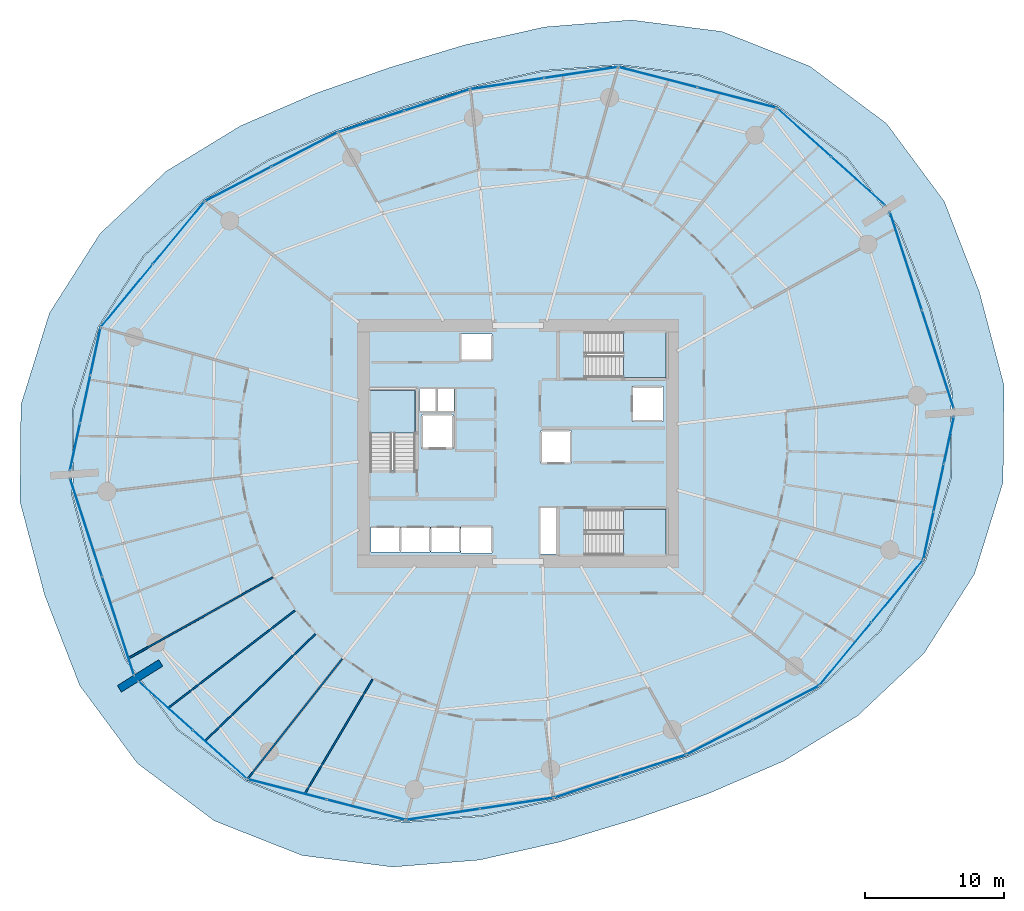
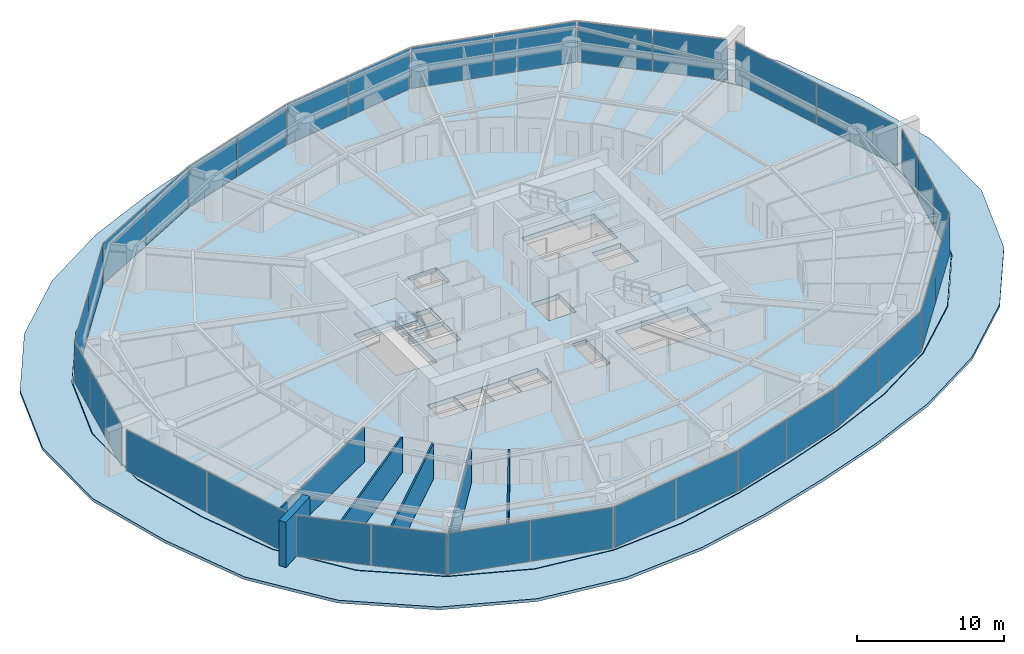
# One storey, part 16 of 22: 34 plates, 6 walls, 5 slabs, 19 elements without a shape of their own.
"""IFC4 building model written with IfcOpenShell, lengths in metres."""

from ifc_helpers import new_model, si_unit, direction, frame, frame_2d, origin, origin_2d, place, context, subcontext, project, spatial, polyline, rectangle, outline, extrude, material, layer, layer_set, type_object, element, aggregate, save


model = new_model("IFC4")

# Units and contexts
model_context = context("Model", 3, precision=1e-05, world=origin(), true_north=direction((0.0, 1.0)))
body_context = subcontext(model_context, "Body", "Model", "MODEL_VIEW")
ifc_project = project(units=[si_unit("LENGTHUNIT", "METRE"), si_unit("AREAUNIT", "SQUARE_METRE"), si_unit("VOLUMEUNIT", "CUBIC_METRE"), si_unit("PLANEANGLEUNIT", "RADIAN"), si_unit("MASSUNIT", "GRAM", prefix="KILO")], contexts=[model_context])

# Site, building, storey
site_placement = place(None, origin())
site = spatial("IfcSite", under=ifc_project, at=site_placement, CompositionType="ELEMENT")
building_placement = place(site_placement, origin())
building = spatial("IfcBuilding", under=site, at=building_placement, Name="Kazma Halo Residences", CompositionType="ELEMENT")
storey_placement = place(building_placement, frame((0.0, 0.0, 26.39990234375)))
storey = spatial("IfcBuildingStorey", under=building, at=storey_placement, Name="L05", CompositionType="ELEMENT", Elevation=26.39990234375)

# Curtain wall, plates
ifc_material_1 = material(Name="Aluminium AW-6063 T6 and Triple-Silver Low-E Glass", Category="aluminium")
ifc_layer_1 = layer(ifc_material_1, 0.159912109375)
ifc_layer_set_1 = layer_set([ifc_layer_1], Name="Aluminium AW-6063 T6 and Triple-Silver Low-E Glass")
curtain_wall_type = type_object("IfcCurtainWallType", Name="CW-SYS-2", PredefinedType="NOTDEFINED", material=ifc_layer_set_1)
curtain_wall_1_placement = place(storey_placement, origin())
curtain_wall_1 = element("IfcCurtainWall", 1, at=curtain_wall_1_placement, inside=storey, type_object=curtain_wall_type, Name="L05 unitised curtain wall B01", PredefinedType="NOTDEFINED")
ifc_material_2 = material(Name="Clear Triple-Silver Low-E Glass IGU", Category="glass")
ifc_layer_2 = layer(ifc_material_2, 0.028076171875)
ifc_layer_set_2 = layer_set([ifc_layer_2], Name="Clear Triple-Silver Low-E Glass IGU")
plate_type = type_object("IfcPlateType", Name="CW-SYS-2-PNL", PredefinedType="CURTAIN_PANEL", material=ifc_layer_set_2)
plate_1_placement = place(storey_placement, frame((72.876953125, 60.841064453125, 0.06005859375), z_axis=(0.0, 0.0, 1.0), x_axis=(-0.744321506993, 0.667821453854, 0.0)))
plate_1 = element("IfcPlate", 2, at=plate_1_placement, type_object=plate_type, Name="CWS-2 panel 1.1", PredefinedType="CURTAIN_PANEL", context=body_context, shape_type="SweptSolid", body=[
    extrude(rectangle(XDim=5.1787109375, YDim=0.028076171875, at=origin_2d()), origin(), (0.0, 0.0, 1.0), 3.3798828125),
])
plate_2_placement = place(storey_placement, frame((68.977783203125, 64.33935546875, 0.06005859375), z_axis=(0.0, 0.0, 1.0), x_axis=(-0.744321506993, 0.667821453854, 0.0)))
plate_2 = element("IfcPlate", 3, at=plate_2_placement, type_object=plate_type, Name="CWS-2 panel 2.1", PredefinedType="CURTAIN_PANEL", context=body_context, shape_type="SweptSolid", body=[
    extrude(rectangle(XDim=5.1787109375, YDim=0.028076171875, at=origin_2d()), origin(), (0.0, 0.0, 1.0), 3.3798828125),
])
aggregate(curtain_wall_1, [plate_1, plate_2])

curtain_wall_2_placement = place(storey_placement, origin())
curtain_wall_2 = element("IfcCurtainWall", 4, at=curtain_wall_2_placement, inside=storey, type_object=curtain_wall_type, Name="L05 unitised curtain wall B02", PredefinedType="NOTDEFINED")
plate_3_placement = place(storey_placement, frame((64.146484375, 66.845703125, 0.06005859375), z_axis=(0.0, 0.0, 1.0), x_axis=(-0.968339925505, 0.249635311349, 0.0)))
plate_3 = element("IfcPlate", 5, at=plate_3_placement, type_object=plate_type, Name="CWS-2 panel 1.1", PredefinedType="CURTAIN_PANEL", context=body_context, shape_type="SweptSolid", body=[
    extrude(rectangle(XDim=5.78564453125, YDim=0.028076171875, at=origin_2d()), origin(), (0.0, 0.0, 1.0), 3.3798828125),
])
plate_4_placement = place(storey_placement, frame((58.486083984375, 68.30517578125, 0.06005859375), z_axis=(0.0, 0.0, 1.0), x_axis=(-0.968339925505, 0.249635311349, 0.0)))
plate_4 = element("IfcPlate", 6, at=plate_4_placement, type_object=plate_type, Name="CWS-2 panel 2.1", PredefinedType="CURTAIN_PANEL", context=body_context, shape_type="SweptSolid", body=[
    extrude(rectangle(XDim=5.78564453125, YDim=0.028076171875, at=origin_2d()), origin(), (0.0, 0.0, 1.0), 3.3798828125),
])
aggregate(curtain_wall_2, [plate_3, plate_4])

curtain_wall_3_placement = place(storey_placement, origin())
curtain_wall_3 = element("IfcCurtainWall", 7, at=curtain_wall_3_placement, inside=storey, type_object=curtain_wall_type, Name="L05 unitised curtain wall B03", PredefinedType="NOTDEFINED")
plate_5_placement = place(storey_placement, frame((52.952392578125, 68.64013671875, 0.06005859375), z_axis=(0.0, 0.0, 1.0), x_axis=(-0.988888777994, -0.148657272805, 0.0)))
plate_5 = element("IfcPlate", 8, at=plate_5_placement, type_object=plate_type, Name="CWS-2 panel 1.1", PredefinedType="CURTAIN_PANEL", context=body_context, shape_type="SweptSolid", body=[
    extrude(rectangle(XDim=5.288818359375, YDim=0.028076171875, at=origin_2d()), origin(), (0.0, 0.0, 1.0), 3.3798828125),
])
plate_6_placement = place(storey_placement, frame((47.662841796875, 67.844970703125, 0.06005859375), z_axis=(0.0, 0.0, 1.0), x_axis=(-0.988888777994, -0.148657272805, 0.0)))
plate_6 = element("IfcPlate", 9, at=plate_6_placement, type_object=plate_type, Name="CWS-2 panel 2.1", PredefinedType="CURTAIN_PANEL", context=body_context, shape_type="SweptSolid", body=[
    extrude(rectangle(XDim=5.288818359375, YDim=0.028076171875, at=origin_2d()), origin(), (0.0, 0.0, 1.0), 3.3798828125),
])
aggregate(curtain_wall_3, [plate_5, plate_6])

curtain_wall_4_placement = place(storey_placement, origin())
curtain_wall_4 = element("IfcCurtainWall", 10, at=curtain_wall_4_placement, inside=storey, type_object=curtain_wall_type, Name="L05 unitised curtain wall B04", PredefinedType="NOTDEFINED")
plate_7_placement = place(storey_placement, frame((42.597412109375, 66.666015625, 0.06005859375), z_axis=(0.0, 0.0, 1.0), x_axis=(-0.951057736935, -0.309013237605, 0.0)))
plate_7 = element("IfcPlate", 11, at=plate_7_placement, type_object=plate_type, Name="CWS-2 panel 1.1", PredefinedType="CURTAIN_PANEL", context=body_context, shape_type="SweptSolid", body=[
    extrude(rectangle(XDim=4.908447265625, YDim=0.028076171875, at=origin_2d()), origin(), (0.0, 0.0, 1.0), 3.3798828125),
])
plate_8_placement = place(storey_placement, frame((37.872314453125, 65.130859375, 0.06005859375), z_axis=(0.0, 0.0, 1.0), x_axis=(-0.951057736935, -0.309013237605, 0.0)))
plate_8 = element("IfcPlate", 12, at=plate_8_placement, type_object=plate_type, Name="CWS-2 panel 2.1", PredefinedType="CURTAIN_PANEL", context=body_context, shape_type="SweptSolid", body=[
    extrude(rectangle(XDim=4.908447265625, YDim=0.028076171875, at=origin_2d()), origin(), (0.0, 0.0, 1.0), 3.3798828125),
])
aggregate(curtain_wall_4, [plate_7, plate_8])

curtain_wall_5_placement = place(storey_placement, origin())
curtain_wall_5 = element("IfcCurtainWall", 13, at=curtain_wall_5_placement, inside=storey, type_object=curtain_wall_type, Name="L05 unitised curtain wall B05", PredefinedType="NOTDEFINED")
plate_9_placement = place(storey_placement, frame((33.081298828125, 63.107177734375, 0.06005859375), z_axis=(0.0, 0.0, 1.0), x_axis=(-0.887402258584, -0.460995912628, 0.0)))
plate_9 = element("IfcPlate", 14, at=plate_9_placement, type_object=plate_type, Name="CWS-2 panel 1.1", PredefinedType="CURTAIN_PANEL", context=body_context, shape_type="SweptSolid", body=[
    extrude(rectangle(XDim=5.288818359375, YDim=0.028076171875, at=origin_2d()), origin(), (0.0, 0.0, 1.0), 3.3798828125),
])
plate_10_placement = place(storey_placement, frame((28.334716796875, 60.641357421875, 0.06005859375), z_axis=(0.0, 0.0, 1.0), x_axis=(-0.887402258584, -0.460995912628, 0.0)))
plate_10 = element("IfcPlate", 15, at=plate_10_placement, type_object=plate_type, Name="CWS-2 panel 2.1", PredefinedType="CURTAIN_PANEL", context=body_context, shape_type="SweptSolid", body=[
    extrude(rectangle(XDim=5.288818359375, YDim=0.028076171875, at=origin_2d()), origin(), (0.0, 0.0, 1.0), 3.3798828125),
])
aggregate(curtain_wall_5, [plate_9, plate_10])

curtain_wall_6_placement = place(storey_placement, origin())
curtain_wall_6 = element("IfcCurtainWall", 16, at=curtain_wall_6_placement, inside=storey, type_object=curtain_wall_type, Name="L05 unitised curtain wall B06", PredefinedType="NOTDEFINED")
plate_11_placement = place(storey_placement, frame((24.054931640625, 57.11767578125, 0.06005859375), z_axis=(0.0, 0.0, 1.0), x_axis=(-0.63667140268, -0.771135218369, 0.0)))
plate_11 = element("IfcPlate", 17, at=plate_11_placement, type_object=plate_type, Name="CWS-2 panel 1.1", PredefinedType="CURTAIN_PANEL", context=body_context, shape_type="SweptSolid", body=[
    extrude(rectangle(XDim=5.78564453125, YDim=0.028076171875, at=origin_2d()), origin(), (0.0, 0.0, 1.0), 3.3798828125),
])
plate_12_placement = place(storey_placement, frame((20.333251953125, 52.610107421875, 0.06005859375), z_axis=(0.0, 0.0, 1.0), x_axis=(-0.63667140268, -0.771135218369, 0.0)))
plate_12 = element("IfcPlate", 18, at=plate_12_placement, type_object=plate_type, Name="CWS-2 panel 2.1", PredefinedType="CURTAIN_PANEL", context=body_context, shape_type="SweptSolid", body=[
    extrude(rectangle(XDim=5.78564453125, YDim=0.028076171875, at=origin_2d()), origin(), (0.0, 0.0, 1.0), 3.3798828125),
])
aggregate(curtain_wall_6, [plate_11, plate_12])

curtain_wall_7_placement = place(storey_placement, origin())
curtain_wall_7 = element("IfcCurtainWall", 19, at=curtain_wall_7_placement, inside=storey, type_object=curtain_wall_type, Name="L05 unitised curtain wall B07", PredefinedType="NOTDEFINED")
plate_13_placement = place(storey_placement, frame((18.08203125, 48.60107421875, 0.06005859375), z_axis=(0.0, 0.0, 1.0), x_axis=(-0.209637321406, -0.977779215096, 0.0)))
plate_13 = element("IfcPlate", 20, at=plate_13_placement, type_object=plate_type, Name="CWS-2 panel 1.1", PredefinedType="CURTAIN_PANEL", context=body_context, shape_type="SweptSolid", body=[
    extrude(rectangle(XDim=3.42236328125, YDim=0.028076171875, at=origin_2d()), origin(), (0.0, 0.0, 1.0), 3.3798828125),
])
plate_14_placement = place(storey_placement, frame((17.348876953125, 45.181396484375, 0.06005859375), z_axis=(0.0, 0.0, 1.0), x_axis=(-0.209637321406, -0.977779215096, 0.0)))
plate_14 = element("IfcPlate", 21, at=plate_14_placement, type_object=plate_type, Name="CWS-2 panel 2.1", PredefinedType="CURTAIN_PANEL", context=body_context, shape_type="SweptSolid", body=[
    extrude(rectangle(XDim=3.452392578125, YDim=0.028076171875, at=origin_2d()), origin(), (0.0, 0.0, 1.0), 3.3798828125),
])
plate_15_placement = place(storey_placement, frame((16.61572265625, 41.76171875, 0.06005859375), z_axis=(0.0, 0.0, 1.0), x_axis=(-0.209637321406, -0.977779215096, 0.0)))
plate_15 = element("IfcPlate", 22, at=plate_15_placement, type_object=plate_type, Name="CWS-2 panel 3.1", PredefinedType="CURTAIN_PANEL", context=body_context, shape_type="SweptSolid", body=[
    extrude(rectangle(XDim=3.42236328125, YDim=0.028076171875, at=origin_2d()), origin(), (0.0, 0.0, 1.0), 3.3798828125),
])
aggregate(curtain_wall_7, [plate_13, plate_14, plate_15])

curtain_wall_8_placement = place(storey_placement, origin())
curtain_wall_8 = element("IfcCurtainWall", 23, at=curtain_wall_8_placement, inside=storey, type_object=curtain_wall_type, Name="L05 unitised curtain wall B08", PredefinedType="NOTDEFINED")
plate_16_placement = place(storey_placement, frame((17.409912109375, 35.96728515625, 0.06005859375), z_axis=(0.0, 0.0, 1.0), x_axis=(0.309016970539, -0.95105652404, 0.0)))
plate_16 = element("IfcPlate", 24, at=plate_16_placement, type_object=plate_type, Name="CWS-2 panel 1.1", PredefinedType="CURTAIN_PANEL", context=body_context, shape_type="SweptSolid", body=[
    extrude(rectangle(XDim=7.370849609375, YDim=0.028076171875, at=origin_2d()), origin(), (0.0, 0.0, 1.0), 3.3798828125),
])
plate_17_placement = place(storey_placement, frame((19.7060546875, 28.900146484375, 0.06005859375), z_axis=(0.0, 0.0, 1.0), x_axis=(0.309016970539, -0.95105652404, 0.0)))
plate_17 = element("IfcPlate", 25, at=plate_17_placement, type_object=plate_type, Name="CWS-2 panel 2.1", PredefinedType="CURTAIN_PANEL", context=body_context, shape_type="SweptSolid", body=[
    extrude(rectangle(XDim=7.370849609375, YDim=0.028076171875, at=origin_2d()), origin(), (0.0, 0.0, 1.0), 3.3798828125),
])
aggregate(curtain_wall_8, [plate_16, plate_17])

curtain_wall_9_placement = place(storey_placement, origin())
curtain_wall_9 = element("IfcCurtainWall", 26, at=curtain_wall_9_placement, inside=storey, type_object=curtain_wall_type, Name="L05 unitised curtain wall B09", PredefinedType="NOTDEFINED")
plate_18_placement = place(storey_placement, frame((23.123046875, 23.158935546875, 0.06005859375), z_axis=(0.0, 0.0, 1.0), x_axis=(0.744321506993, -0.667821453854, 0.0)))
plate_18 = element("IfcPlate", 27, at=plate_18_placement, type_object=plate_type, Name="CWS-2 panel 1.1", PredefinedType="CURTAIN_PANEL", context=body_context, shape_type="SweptSolid", body=[
    extrude(rectangle(XDim=5.1787109375, YDim=0.028076171875, at=origin_2d()), origin(), (0.0, 0.0, 1.0), 3.3798828125),
])
plate_19_placement = place(storey_placement, frame((27.022216796875, 19.66064453125, 0.06005859375), z_axis=(0.0, 0.0, 1.0), x_axis=(0.744321506993, -0.667821453854, 0.0)))
plate_19 = element("IfcPlate", 28, at=plate_19_placement, type_object=plate_type, Name="CWS-2 panel 2.1", PredefinedType="CURTAIN_PANEL", context=body_context, shape_type="SweptSolid", body=[
    extrude(rectangle(XDim=5.1787109375, YDim=0.028076171875, at=origin_2d()), origin(), (0.0, 0.0, 1.0), 3.3798828125),
])
aggregate(curtain_wall_9, [plate_18, plate_19])

curtain_wall_10_placement = place(storey_placement, origin())
curtain_wall_10 = element("IfcCurtainWall", 29, at=curtain_wall_10_placement, inside=storey, type_object=curtain_wall_type, Name="L05 unitised curtain wall B10", PredefinedType="NOTDEFINED")
plate_20_placement = place(storey_placement, frame((31.853515625, 17.154296875, 0.06005859375), z_axis=(0.0, 0.0, 1.0), x_axis=(0.968339925505, -0.249635311349, 0.0)))
plate_20 = element("IfcPlate", 30, at=plate_20_placement, type_object=plate_type, Name="CWS-2 panel 1.1", PredefinedType="CURTAIN_PANEL", context=body_context, shape_type="SweptSolid", body=[
    extrude(rectangle(XDim=5.78564453125, YDim=0.028076171875, at=origin_2d()), origin(), (0.0, 0.0, 1.0), 3.3798828125),
])
plate_21_placement = place(storey_placement, frame((37.513916015625, 15.69482421875, 0.06005859375), z_axis=(0.0, 0.0, 1.0), x_axis=(0.968339925505, -0.249635311349, 0.0)))
plate_21 = element("IfcPlate", 31, at=plate_21_placement, type_object=plate_type, Name="CWS-2 panel 2.1", PredefinedType="CURTAIN_PANEL", context=body_context, shape_type="SweptSolid", body=[
    extrude(rectangle(XDim=5.78564453125, YDim=0.028076171875, at=origin_2d()), origin(), (0.0, 0.0, 1.0), 3.3798828125),
])
aggregate(curtain_wall_10, [plate_20, plate_21])

curtain_wall_11_placement = place(storey_placement, origin())
curtain_wall_11 = element("IfcCurtainWall", 32, at=curtain_wall_11_placement, inside=storey, type_object=curtain_wall_type, Name="L05 unitised curtain wall B11", PredefinedType="NOTDEFINED")
plate_22_placement = place(storey_placement, frame((43.047607421875, 15.35986328125, 0.06005859375), z_axis=(0.0, 0.0, 1.0), x_axis=(0.988888777994, 0.148657272805, 0.0)))
plate_22 = element("IfcPlate", 33, at=plate_22_placement, type_object=plate_type, Name="CWS-2 panel 1.1", PredefinedType="CURTAIN_PANEL", context=body_context, shape_type="SweptSolid", body=[
    extrude(rectangle(XDim=5.288818359375, YDim=0.028076171875, at=origin_2d()), origin(), (0.0, 0.0, 1.0), 3.3798828125),
])
plate_23_placement = place(storey_placement, frame((48.337158203125, 16.155029296875, 0.06005859375), z_axis=(0.0, 0.0, 1.0), x_axis=(0.988888777994, 0.148657272805, 0.0)))
plate_23 = element("IfcPlate", 34, at=plate_23_placement, type_object=plate_type, Name="CWS-2 panel 2.1", PredefinedType="CURTAIN_PANEL", context=body_context, shape_type="SweptSolid", body=[
    extrude(rectangle(XDim=5.288818359375, YDim=0.028076171875, at=origin_2d()), origin(), (0.0, 0.0, 1.0), 3.3798828125),
])
aggregate(curtain_wall_11, [plate_22, plate_23])

curtain_wall_12_placement = place(storey_placement, origin())
curtain_wall_12 = element("IfcCurtainWall", 35, at=curtain_wall_12_placement, inside=storey, type_object=curtain_wall_type, Name="L05 unitised curtain wall B12", PredefinedType="NOTDEFINED")
plate_24_placement = place(storey_placement, frame((53.402587890625, 17.333984375, 0.06005859375), z_axis=(0.0, 0.0, 1.0), x_axis=(0.951057736935, 0.309013237605, 0.0)))
plate_24 = element("IfcPlate", 36, at=plate_24_placement, type_object=plate_type, Name="CWS-2 panel 1.1", PredefinedType="CURTAIN_PANEL", context=body_context, shape_type="SweptSolid", body=[
    extrude(rectangle(XDim=4.908447265625, YDim=0.028076171875, at=origin_2d()), origin(), (0.0, 0.0, 1.0), 3.3798828125),
])
plate_25_placement = place(storey_placement, frame((58.127685546875, 18.869140625, 0.06005859375), z_axis=(0.0, 0.0, 1.0), x_axis=(0.951057736935, 0.309013237605, 0.0)))
plate_25 = element("IfcPlate", 37, at=plate_25_placement, type_object=plate_type, Name="CWS-2 panel 2.1", PredefinedType="CURTAIN_PANEL", context=body_context, shape_type="SweptSolid", body=[
    extrude(rectangle(XDim=4.908447265625, YDim=0.028076171875, at=origin_2d()), origin(), (0.0, 0.0, 1.0), 3.3798828125),
])
aggregate(curtain_wall_12, [plate_24, plate_25])

curtain_wall_13_placement = place(storey_placement, origin())
curtain_wall_13 = element("IfcCurtainWall", 38, at=curtain_wall_13_placement, inside=storey, type_object=curtain_wall_type, Name="L05 unitised curtain wall B13", PredefinedType="NOTDEFINED")
plate_26_placement = place(storey_placement, frame((62.918701171875, 20.892822265625, 0.06005859375), z_axis=(0.0, 0.0, 1.0), x_axis=(0.887402258584, 0.460995912628, 0.0)))
plate_26 = element("IfcPlate", 39, at=plate_26_placement, type_object=plate_type, Name="CWS-2 panel 1.1", PredefinedType="CURTAIN_PANEL", context=body_context, shape_type="SweptSolid", body=[
    extrude(rectangle(XDim=5.288818359375, YDim=0.028076171875, at=origin_2d()), origin(), (0.0, 0.0, 1.0), 3.3798828125),
])
plate_27_placement = place(storey_placement, frame((67.665283203125, 23.358642578125, 0.06005859375), z_axis=(0.0, 0.0, 1.0), x_axis=(0.887402258584, 0.460995912628, 0.0)))
plate_27 = element("IfcPlate", 40, at=plate_27_placement, type_object=plate_type, Name="CWS-2 panel 2.1", PredefinedType="CURTAIN_PANEL", context=body_context, shape_type="SweptSolid", body=[
    extrude(rectangle(XDim=5.288818359375, YDim=0.028076171875, at=origin_2d()), origin(), (0.0, 0.0, 1.0), 3.3798828125),
])
aggregate(curtain_wall_13, [plate_26, plate_27])

curtain_wall_14_placement = place(storey_placement, origin())
curtain_wall_14 = element("IfcCurtainWall", 41, at=curtain_wall_14_placement, inside=storey, type_object=curtain_wall_type, Name="L05 unitised curtain wall B14", PredefinedType="NOTDEFINED")
plate_28_placement = place(storey_placement, frame((71.945068359375, 26.88232421875, 0.06005859375), z_axis=(0.0, 0.0, 1.0), x_axis=(0.63667140268, 0.771135218369, 0.0)))
plate_28 = element("IfcPlate", 42, at=plate_28_placement, type_object=plate_type, Name="CWS-2 panel 1.1", PredefinedType="CURTAIN_PANEL", context=body_context, shape_type="SweptSolid", body=[
    extrude(rectangle(XDim=5.78564453125, YDim=0.028076171875, at=origin_2d()), origin(), (0.0, 0.0, 1.0), 3.3798828125),
])
plate_29_placement = place(storey_placement, frame((75.666748046875, 31.389892578125, 0.06005859375), z_axis=(0.0, 0.0, 1.0), x_axis=(0.63667140268, 0.771135218369, 0.0)))
plate_29 = element("IfcPlate", 43, at=plate_29_placement, type_object=plate_type, Name="CWS-2 panel 2.1", PredefinedType="CURTAIN_PANEL", context=body_context, shape_type="SweptSolid", body=[
    extrude(rectangle(XDim=5.78564453125, YDim=0.028076171875, at=origin_2d()), origin(), (0.0, 0.0, 1.0), 3.3798828125),
])
aggregate(curtain_wall_14, [plate_28, plate_29])

curtain_wall_15_placement = place(storey_placement, origin())
curtain_wall_15 = element("IfcCurtainWall", 44, at=curtain_wall_15_placement, inside=storey, type_object=curtain_wall_type, Name="L05 unitised curtain wall B15", PredefinedType="NOTDEFINED")
plate_30_placement = place(storey_placement, frame((77.91796875, 35.39892578125, 0.06005859375), z_axis=(0.0, 0.0, 1.0), x_axis=(0.209637321406, 0.977779215096, 0.0)))
plate_30 = element("IfcPlate", 45, at=plate_30_placement, type_object=plate_type, Name="CWS-2 panel 1.1", PredefinedType="CURTAIN_PANEL", context=body_context, shape_type="SweptSolid", body=[
    extrude(rectangle(XDim=3.42236328125, YDim=0.028076171875, at=origin_2d()), origin(), (0.0, 0.0, 1.0), 3.3798828125),
])
plate_31_placement = place(storey_placement, frame((78.651123046875, 38.818603515625, 0.06005859375), z_axis=(0.0, 0.0, 1.0), x_axis=(0.209637321406, 0.977779215096, 0.0)))
plate_31 = element("IfcPlate", 46, at=plate_31_placement, type_object=plate_type, Name="CWS-2 panel 2.1", PredefinedType="CURTAIN_PANEL", context=body_context, shape_type="SweptSolid", body=[
    extrude(rectangle(XDim=3.452392578125, YDim=0.028076171875, at=origin_2d()), origin(), (0.0, 0.0, 1.0), 3.3798828125),
])
plate_32_placement = place(storey_placement, frame((79.38427734375, 42.23828125, 0.06005859375), z_axis=(0.0, 0.0, 1.0), x_axis=(0.209637321406, 0.977779215096, 0.0)))
plate_32 = element("IfcPlate", 47, at=plate_32_placement, type_object=plate_type, Name="CWS-2 panel 3.1", PredefinedType="CURTAIN_PANEL", context=body_context, shape_type="SweptSolid", body=[
    extrude(rectangle(XDim=3.42236328125, YDim=0.028076171875, at=origin_2d()), origin(), (0.0, 0.0, 1.0), 3.3798828125),
])
aggregate(curtain_wall_15, [plate_30, plate_31, plate_32])

curtain_wall_16_placement = place(storey_placement, origin())
curtain_wall_16 = element("IfcCurtainWall", 48, at=curtain_wall_16_placement, inside=storey, type_object=curtain_wall_type, Name="L05 unitised curtain wall B16", PredefinedType="NOTDEFINED")
plate_33_placement = place(storey_placement, frame((78.590087890625, 48.03271484375, 0.06005859375), z_axis=(0.0, 0.0, 1.0), x_axis=(-0.309016970539, 0.95105652404, 0.0)))
plate_33 = element("IfcPlate", 49, at=plate_33_placement, type_object=plate_type, Name="CWS-2 panel 1.1", PredefinedType="CURTAIN_PANEL", context=body_context, shape_type="SweptSolid", body=[
    extrude(rectangle(XDim=7.370849609375, YDim=0.028076171875, at=origin_2d()), origin(), (0.0, 0.0, 1.0), 3.3798828125),
])
plate_34_placement = place(storey_placement, frame((76.2939453125, 55.099853515625, 0.06005859375), z_axis=(0.0, 0.0, 1.0), x_axis=(-0.309016970539, 0.95105652404, 0.0)))
plate_34 = element("IfcPlate", 50, at=plate_34_placement, type_object=plate_type, Name="CWS-2 panel 2.1", PredefinedType="CURTAIN_PANEL", context=body_context, shape_type="SweptSolid", body=[
    extrude(rectangle(XDim=7.370849609375, YDim=0.028076171875, at=origin_2d()), origin(), (0.0, 0.0, 1.0), 3.3798828125),
])
aggregate(curtain_wall_16, [plate_33, plate_34])

# Slab
ifc_material_3 = material(Name="Concrete C50/60", Category="concrete")
ifc_layer_3 = layer(ifc_material_3, 0.239990234375)
ifc_layer_set_3 = layer_set([ifc_layer_3], Name="Concrete C50/60")
slab_type_1 = type_object("IfcSlabType", Name="SLB-ROOF-240", PredefinedType="ROOF", material=ifc_layer_set_3)
slab_1_placement = place(storey_placement, frame((0.0, 0.0, -0.239990234375)))
element("IfcSlab", 51, at=slab_1_placement, inside=storey, type_object=slab_type_1, Name="L05 extensive green roof maintenance apron", PredefinedType="ROOF", context=body_context, shape_type="SweptSolid", body=[
    extrude(outline(polyline([(81.56396484375, 52.905517578125), (79.04638671875, 59.38671875), (74.903564453125, 64.977783203125), (69.36962890625, 69.107177734375), (63.076171875, 71.58837890625), (56.578369140625, 72.41650390625), (50.354736328125, 71.918701171875), (44.611572265625, 70.629638671875), (39.226318359375, 69.00244140625), (33.913330078125, 67.153564453125), (28.50927734375, 64.82080078125), (23.181396484375, 61.565185546875), (18.41162109375, 57.076171875), (14.7783203125, 51.369384765625), (12.728515625, 44.77587890625), (12.663330078125, 37.817626953125), (14.43603515625, 31.094482421875), (16.95361328125, 24.61328125), (21.096435546875, 19.022216796875), (26.63037109375, 14.892822265625), (32.923828125, 12.41162109375), (39.421630859375, 11.58349609375), (45.645263671875, 12.081298828125), (51.388427734375, 13.370361328125), (56.773681640625, 14.99755859375), (62.086669921875, 16.846435546875), (67.49072265625, 19.17919921875), (72.818603515625, 22.434814453125), (77.58837890625, 26.923828125), (81.2216796875, 32.630615234375), (83.271484375, 39.22412109375), (83.336669921875, 46.182373046875), (81.56396484375, 52.905517578125)]), holes=[polyline([(78.015380859375, 51.752685546875), (75.763427734375, 57.54833984375), (72.05908203125, 62.54833984375), (67.111083984375, 66.2421875), (61.4833984375, 68.462890625), (55.6728515625, 69.205810546875), (50.106201171875, 68.76318359375), (44.968505859375, 67.61181640625), (40.15087890625, 66.15673828125), (35.398193359375, 64.502197265625), (30.56494140625, 62.413818359375), (25.801513671875, 59.5), (21.537109375, 55.4833984375), (18.289794921875, 50.379150390625), (16.457763671875, 44.482421875), (16.39990234375, 38.260009765625), (17.984619140625, 32.247314453125), (20.236572265625, 26.45166015625), (23.94091796875, 21.45166015625), (28.888916015625, 17.7578125), (34.5166015625, 15.537109375), (40.3271484375, 14.794189453125), (45.893798828125, 15.23681640625), (51.031494140625, 16.38818359375), (55.84912109375, 17.84326171875), (60.601806640625, 19.497802734375), (65.43505859375, 21.586181640625), (70.198486328125, 24.5), (74.462890625, 28.5166015625), (77.710205078125, 33.620849609375), (79.542236328125, 39.517578125), (79.60009765625, 45.739990234375), (78.015380859375, 51.752685546875)])]), origin(), (0.0, 0.0, 1.0), 0.239990234375),
])

# Stair, slab
stair_type = type_object("IfcStairType", Name="STR-RES1", PredefinedType="HALF_TURN_STAIR", material=ifc_material_3)
stair_1_placement = place(storey_placement, origin())
stair_1 = element("IfcStair", 52, at=stair_1_placement, inside=storey, type_object=stair_type, Name="L05 Core exit stair ST-01", PredefinedType="HALF_TURN_STAIR")
ifc_layer_4 = layer(ifc_material_3, 0.199951171875)
ifc_layer_set_4 = layer_set([ifc_layer_4], Name="Concrete C50/60")
slab_type_2 = type_object("IfcSlabType", Name="SLB-STAIR-LND-200", PredefinedType="LANDING", material=ifc_layer_set_4)
slab_2_placement = place(storey_placement, frame((0.0, 0.0, 1.675048828125)))
slab_2 = element("IfcSlab", 53, at=slab_2_placement, type_object=slab_type_2, Name="ST-01 landing 1", PredefinedType="LANDING", context=body_context, shape_type="SweptSolid", body=[
    extrude(outline(polyline([(41.050048828125, 42.75), (41.050048828125, 45.800048828125), (37.800048828125, 45.800048828125), (37.800048828125, 42.75), (41.050048828125, 42.75)])), origin(), (0.0, 0.0, 1.0), 0.199951171875),
])
aggregate(stair_1, [slab_2])

stair_2_placement = place(storey_placement, origin())
stair_2 = element("IfcStair", 54, at=stair_2_placement, inside=storey, type_object=stair_type, Name="L05 Core exit stair ST-02", PredefinedType="HALF_TURN_STAIR")
slab_3_placement = place(storey_placement, frame((0.0, 0.0, 1.675048828125)))
slab_3 = element("IfcSlab", 55, at=slab_3_placement, type_object=slab_type_2, Name="ST-02 landing 1", PredefinedType="LANDING", context=body_context, shape_type="SweptSolid", body=[
    extrude(outline(polyline([(56.0, 46.75), (59.050048828125, 46.75), (59.050048828125, 50.0), (56.0, 50.0), (56.0, 46.75)])), origin(), (0.0, 0.0, 1.0), 0.199951171875),
])
aggregate(stair_2, [slab_3])

stair_3_placement = place(storey_placement, origin())
stair_3 = element("IfcStair", 56, at=stair_3_placement, inside=storey, type_object=stair_type, Name="L05 Core exit stair ST-03", PredefinedType="HALF_TURN_STAIR")
slab_4_placement = place(storey_placement, frame((0.0, 0.0, 1.675048828125)))
slab_4 = element("IfcSlab", 57, at=slab_4_placement, type_object=slab_type_2, Name="ST-03 landing 1", PredefinedType="LANDING", context=body_context, shape_type="SweptSolid", body=[
    extrude(outline(polyline([(56.0, 34.0), (59.050048828125, 34.0), (59.050048828125, 37.25), (56.0, 37.25), (56.0, 34.0)])), origin(), (0.0, 0.0, 1.0), 0.199951171875),
])
aggregate(stair_3, [slab_4])

# Slab
ifc_material_4 = material(Name="Concrete C60/75", Category="concrete")
ifc_layer_5 = layer(ifc_material_4, 0.39990234375)
ifc_layer_set_5 = layer_set([ifc_layer_5], Name="Concrete C60/75")
slab_type_3 = type_object("IfcSlabType", Name="SLB-TRANS-400", PredefinedType="FLOOR", material=ifc_layer_set_5)
slab_5_placement = place(storey_placement, frame((0.0, 0.0, -0.39990234375)))
element("IfcSlab", 58, at=slab_5_placement, inside=storey, type_object=slab_type_3, Name="L05 structural floor slab", PredefinedType="FLOOR", context=body_context, shape_type="SweptSolid", body=[
    extrude(outline(polyline([(77.9677734375, 51.737060546875), (75.719970703125, 57.52392578125), (72.02099609375, 62.51611328125), (67.080078125, 66.202880859375), (61.460693359375, 68.418212890625), (55.6591796875, 69.15771484375), (50.102294921875, 68.713134765625), (44.974609375, 67.562255859375), (40.16650390625, 66.109375), (35.422607421875, 64.45849609375), (30.597412109375, 62.375732421875), (25.8408203125, 59.468994140625), (21.581787109375, 55.460693359375), (18.337890625, 50.365478515625), (16.507568359375, 44.478515625), (16.449462890625, 38.265625), (18.0322265625, 32.262939453125), (20.280029296875, 26.47607421875), (23.97900390625, 21.48388671875), (28.919921875, 17.797119140625), (34.539306640625, 15.581787109375), (40.3408203125, 14.84228515625), (45.897705078125, 15.286865234375), (51.025390625, 16.437744140625), (55.83349609375, 17.890625), (60.577392578125, 19.54150390625), (65.402587890625, 21.624267578125), (70.1591796875, 24.531005859375), (74.418212890625, 28.539306640625), (77.662109375, 33.634521484375), (79.492431640625, 39.521484375), (79.550537109375, 45.734375), (77.9677734375, 51.737060546875)]), holes=[polyline([(37.800048828125, 40.110107421875), (41.050048828125, 40.110107421875), (41.050048828125, 45.800048828125), (37.800048828125, 45.800048828125), (37.800048828125, 40.110107421875)]), polyline([(53.360107421875, 46.75), (59.050048828125, 46.75), (59.050048828125, 50.0), (53.360107421875, 50.0), (53.360107421875, 46.75)]), polyline([(53.360107421875, 34.0), (59.050048828125, 34.0), (59.050048828125, 37.25), (53.360107421875, 37.25), (53.360107421875, 34.0)]), polyline([(41.52001953125, 41.6201171875), (43.780029296875, 41.6201171875), (43.780029296875, 44.080078125), (41.52001953125, 44.080078125), (41.52001953125, 41.6201171875)]), polyline([(56.6201171875, 43.6201171875), (58.8798828125, 43.6201171875), (58.8798828125, 46.080078125), (56.6201171875, 46.080078125), (56.6201171875, 43.6201171875)]), polyline([(37.864990234375, 34.195068359375), (39.97509765625, 34.195068359375), (39.97509765625, 36.0048828125), (37.864990234375, 36.0048828125), (37.864990234375, 34.195068359375)]), polyline([(40.014892578125, 34.195068359375), (42.125, 34.195068359375), (42.125, 36.0048828125), (40.014892578125, 36.0048828125), (40.014892578125, 34.195068359375)]), polyline([(42.1650390625, 34.195068359375), (44.27490234375, 34.195068359375), (44.27490234375, 36.0048828125), (42.1650390625, 36.0048828125), (42.1650390625, 34.195068359375)]), polyline([(44.320068359375, 47.945068359375), (46.580078125, 47.945068359375), (46.580078125, 49.85498046875), (44.320068359375, 49.85498046875), (44.320068359375, 47.945068359375)]), polyline([(44.320068359375, 34.14501953125), (46.580078125, 34.14501953125), (46.580078125, 36.054931640625), (44.320068359375, 36.054931640625), (44.320068359375, 34.14501953125)]), polyline([(50.070068359375, 40.570068359375), (52.22998046875, 40.570068359375), (52.22998046875, 42.929931640625), (50.070068359375, 42.929931640625), (50.070068359375, 40.570068359375)]), polyline([(41.360107421875, 44.340087890625), (42.5400390625, 44.340087890625), (42.5400390625, 45.89990234375), (41.360107421875, 45.89990234375), (41.360107421875, 44.340087890625)]), polyline([(42.659912109375, 44.340087890625), (43.840087890625, 44.340087890625), (43.840087890625, 45.89990234375), (42.659912109375, 45.89990234375), (42.659912109375, 44.340087890625)]), polyline([(50.06005859375, 34.080078125), (51.159912109375, 34.080078125), (51.159912109375, 37.3798828125), (50.06005859375, 37.3798828125), (50.06005859375, 34.080078125)])]), origin(), (0.0, 0.0, 1.0), 0.39990234375),
])

# Walls
ifc_material_5 = material(Name="Pale Concrete C60/75", Category="concrete")
ifc_layer_6 = layer(ifc_material_5, 0.550048828125)
ifc_layer_set_6 = layer_set([ifc_layer_6], Name="Pale Concrete C60/75")
wall_type_1 = type_object("IfcWallType", Name="WL-BLADE-550", PredefinedType="SOLIDWALL", material=ifc_layer_set_6)
wall_1_placement = place(storey_placement, frame((22.770263671875, 26.234619140625, 0.0), z_axis=(0.0, 0.0, 1.0), x_axis=(-0.848053161125, -0.529911158502, 0.0)))
element("IfcWall", 59, at=wall_1_placement, inside=storey, type_object=wall_type_1, Name="L05 pale concrete structural blade fin wall BW-03", PredefinedType="SOLIDWALL", context=body_context, shape_type="SweptSolid", body=[
    extrude(rectangle(XDim=3.5, YDim=0.550048828125, at=frame_2d((1.75, 0.0))), origin(), (0.0, 0.0, 1.0), 3.75),
])
ifc_material_6 = material(Name="Gypsum Plasterboard Partition")
ifc_layer_7 = layer(ifc_material_6, 0.125)
ifc_layer_set_7 = layer_set([ifc_layer_7], Name="Gypsum Plasterboard Partition")
wall_type_2 = type_object("IfcWallType", Name="WL-PART-125", PredefinedType="PARTITIONING", material=ifc_layer_set_7)
wall_2_placement = place(storey_placement, frame((30.820556640625, 32.37890625, 0.0), z_axis=(0.0, 0.0, 1.0), x_axis=(-0.872502853637, -0.488609015877, 0.0)))
element("IfcWall", 60, at=wall_2_placement, inside=storey, type_object=wall_type_2, Name="L05 Apartment 2 radial partition 8", PredefinedType="PARTITIONING", context=body_context, shape_type="SweptSolid", body=[
    extrude(rectangle(XDim=11.8486328125, YDim=0.125, at=frame_2d((5.92431640625, 0.0))), origin(), (0.0, 0.0, 1.0), 2.8671875),
])
wall_3_placement = place(storey_placement, frame((32.402587890625, 29.9990234375, 0.0), z_axis=(0.0, 0.0, 1.0), x_axis=(-0.792564570614, -0.6097879971, 0.0)))
element("IfcWall", 61, at=wall_3_placement, inside=storey, type_object=wall_type_2, Name="L05 Apartment 2 bay wall 1 8", PredefinedType="PARTITIONING", context=body_context, shape_type="SweptSolid", body=[
    extrude(rectangle(XDim=11.45654296875, YDim=0.125, at=frame_2d((5.728271484375, 0.0))), origin(), (0.0, 0.0, 1.0), 2.940185546875),
])
wall_4_placement = place(storey_placement, frame((33.8671875, 28.304443359375, 0.0), z_axis=(0.0, 0.0, 1.0), x_axis=(-0.718121051269, -0.695918210513, 0.0)))
element("IfcWall", 62, at=wall_4_placement, inside=storey, type_object=wall_type_2, Name="L05 Apartment 2 bay wall 2 8", PredefinedType="PARTITIONING", context=body_context, shape_type="SweptSolid", body=[
    extrude(rectangle(XDim=11.0068359375, YDim=0.125, at=frame_2d((5.50341796875, 0.0))), origin(), (0.0, 0.0, 1.0), 2.940185546875),
])
wall_5_placement = place(storey_placement, frame((35.81005859375, 26.537109375, 0.0), z_axis=(0.0, 0.0, 1.0), x_axis=(-0.619089957105, -0.785320078064, 0.0)))
element("IfcWall", 63, at=wall_5_placement, inside=storey, type_object=wall_type_2, Name="L05 Apartment 2 radial partition 9", PredefinedType="PARTITIONING", context=body_context, shape_type="SweptSolid", body=[
    extrude(rectangle(XDim=10.984375, YDim=0.125, at=frame_2d((5.4921875, 0.0))), origin(), (0.0, 0.0, 1.0), 2.8671875),
])
wall_6_placement = place(storey_placement, frame((37.982177734375, 25.060546875, 0.0), z_axis=(0.0, 0.0, 1.0), x_axis=(-0.509050067554, -0.860736910283, 0.0)))
element("IfcWall", 64, at=wall_6_placement, inside=storey, type_object=wall_type_2, Name="L05 Apartment 2 bay wall 1 9", PredefinedType="PARTITIONING", context=body_context, shape_type="SweptSolid", body=[
    extrude(rectangle(XDim=9.538330078125, YDim=0.125, at=frame_2d((4.76904296875, 0.0))), origin(), (0.0, 0.0, 1.0), 2.940185546875),
])

save(model, "model.ifc")
